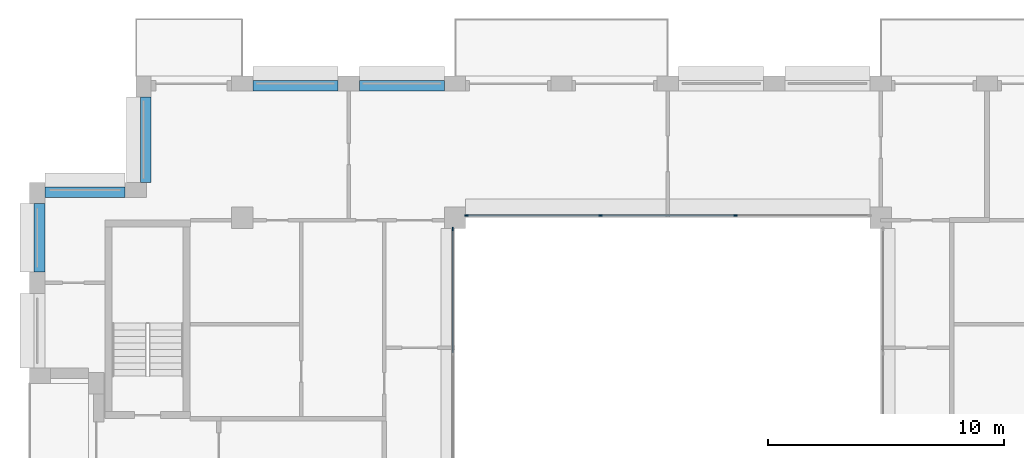
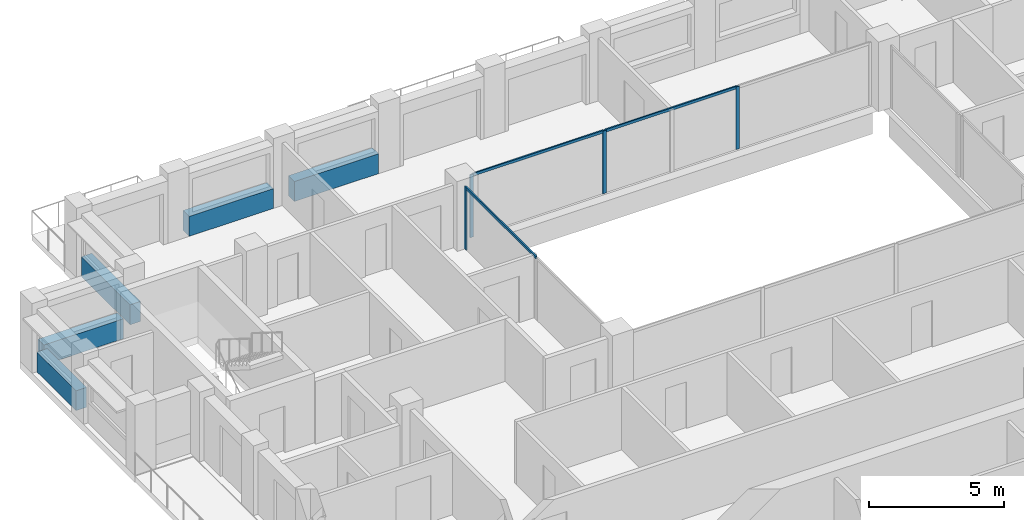
# One storey, part 5 of 15: 7 members, 5 beams, 2 elements without a shape of their own.
"""IFC4 building model written with IfcOpenShell, lengths in metres."""

from ifc_helpers import new_model, si_unit, direction, frame, origin, origin_2d, place, context, subcontext, project, spatial, rectangle, extrude, material, layer, layer_set, material_profile, profile_set, type_object, element, aggregate, save


model = new_model("IFC4")

# Units and contexts
model_context = context("Model", 3, precision=1e-05, world=origin(), true_north=direction((0.0, 1.0)))
body_context = subcontext(model_context, "Body", "Model", "MODEL_VIEW")
ifc_project = project(units=[si_unit("LENGTHUNIT", "METRE"), si_unit("AREAUNIT", "SQUARE_METRE"), si_unit("VOLUMEUNIT", "CUBIC_METRE"), si_unit("PLANEANGLEUNIT", "RADIAN"), si_unit("MASSUNIT", "GRAM", prefix="KILO")], contexts=[model_context])

# Site, building, storey
site_placement = place(None, origin())
site = spatial("IfcSite", under=ifc_project, at=site_placement, CompositionType="ELEMENT")
building_placement = place(site_placement, origin())
building = spatial("IfcBuilding", under=site, at=building_placement, Name="Brigalow Station Residences", CompositionType="ELEMENT")
storey_placement = place(building_placement, frame((0.0, 0.0, 229.5)))
storey = spatial("IfcBuildingStorey", under=building, at=storey_placement, Name="L66", CompositionType="ELEMENT", Elevation=229.5)

# Curtain wall, members
ifc_material_1 = material(Name="Aluminium", Category="aluminium")
ifc_layer = layer(ifc_material_1, 0.14990234375)
ifc_layer_set = layer_set([ifc_layer], Name="ATRIUM FIRE-RATED GLAZING CURTAIN WALL")
curtain_wall_type = type_object("IfcCurtainWallType", Name="ATRIUM FIRE-RATED GLAZING CURTAIN WALL", PredefinedType="NOTDEFINED", material=ifc_layer_set)
curtain_wall_1_placement = place(storey_placement, origin())
curtain_wall_1 = element("IfcCurtainWall", 1, at=curtain_wall_1_placement, inside=storey, type_object=curtain_wall_type, Name="L66/cw/atrium-N", PredefinedType="NOTDEFINED")
ifc_material_2 = material(Name="Aluminium", Category="aluminium")
ifc_material_profile_1 = material_profile(ifc_material_2, rectangle(XDim=0.06005859375, YDim=0.14990234375, at=origin_2d()), Name="ATRIUM FIRE-RATED GLAZING MULLION 60x150")
ifc_profile_set_1 = profile_set([ifc_material_profile_1], Name="Aluminium")
member_type_1 = type_object("IfcMemberType", Name="ATRIUM FIRE-RATED GLAZING MULLION 60x150", PredefinedType="MULLION", material=ifc_profile_set_1)
member_1_placement = place(storey_placement, frame((38.85009765625, 35.60009765625, 0.0), z_axis=(0.0, 0.0, 1.0), x_axis=(0.0, -1.0, 0.0)))
member_1 = element("IfcMember", 2, at=member_1_placement, type_object=member_type_1, Name="L66/cw/atrium-N/M01", PredefinedType="MULLION", context=body_context, shape_type="SweptSolid", body=[
    extrude(rectangle(XDim=0.06005859375, YDim=0.14990234375, at=origin_2d()), origin(), (0.0, 0.0, 1.0), 2.830078125),
])
member_2_placement = place(storey_placement, frame((33.14990234375, 35.60009765625, 0.0), z_axis=(0.0, 0.0, 1.0), x_axis=(0.0, -1.0, 0.0)))
member_2 = element("IfcMember", 3, at=member_2_placement, type_object=member_type_1, Name="L66/cw/atrium-N/M02", PredefinedType="MULLION", context=body_context, shape_type="SweptSolid", body=[
    extrude(rectangle(XDim=0.06005859375, YDim=0.14990234375, at=origin_2d()), origin(), (0.0, 0.0, 1.0), 2.830078125),
])
member_3_placement = place(storey_placement, frame((27.47998046875, 35.60009765625, 0.0), z_axis=(0.0, 0.0, 1.0), x_axis=(0.0, -1.0, 0.0)))
member_3 = element("IfcMember", 4, at=member_3_placement, type_object=member_type_1, Name="L66/cw/atrium-N/M03", PredefinedType="MULLION", context=body_context, shape_type="SweptSolid", body=[
    extrude(rectangle(XDim=0.06005859375, YDim=0.14990234375, at=origin_2d()), origin(), (0.0, 0.0, 1.0), 2.830078125),
])

# Curtain wall, member
curtain_wall_2_placement = place(storey_placement, origin())
curtain_wall_2 = element("IfcCurtainWall", 5, at=curtain_wall_2_placement, inside=storey, type_object=curtain_wall_type, Name="L66/cw/atrium-W", PredefinedType="NOTDEFINED")
member_4_placement = place(storey_placement, frame((26.89990234375, 35.02001953125, 0.0), z_axis=(0.0, 0.0, 1.0), x_axis=(1.0, 0.0, 0.0)))
member_4 = element("IfcMember", 6, at=member_4_placement, type_object=member_type_1, Name="L66/cw/atrium-W/M00", PredefinedType="MULLION", context=body_context, shape_type="SweptSolid", body=[
    extrude(rectangle(XDim=0.06005859375, YDim=0.14990234375, at=origin_2d()), origin(), (0.0, 0.0, 1.0), 2.830078125),
])

# Member
ifc_material_3 = material(Name="Aluminium", Category="aluminium")
ifc_material_profile_2 = material_profile(ifc_material_3, rectangle(XDim=0.06005859375, YDim=0.1201171875, at=origin_2d()), Name="ATRIUM FIRE-RATED GLAZING TRANSOM 60x120")
ifc_profile_set_2 = profile_set([ifc_material_profile_2], Name="Aluminium")
member_type_2 = type_object("IfcMemberType", Name="ATRIUM FIRE-RATED GLAZING TRANSOM 60x120", PredefinedType="USERDEFINED", material=ifc_profile_set_2)
member_5_placement = place(storey_placement, frame((38.820068359375, 35.60009765625, 2.800048828125), z_axis=(-1.0, 0.0, 0.0), x_axis=(0.0, -1.0, 0.0)))
member_5 = element("IfcMember", 7, at=member_5_placement, type_object=member_type_2, Name="L66/cw/atrium-N/T01-00", ObjectType="TRANSOM", PredefinedType="USERDEFINED", context=body_context, shape_type="SweptSolid", body=[
    extrude(rectangle(XDim=0.06005859375, YDim=0.1201171875, at=origin_2d()), origin(), (0.0, 0.0, 1.0), 5.64013671875),
])

member_6_placement = place(storey_placement, frame((33.1201171875, 35.60009765625, 2.800048828125), z_axis=(-1.0, 0.0, 0.0), x_axis=(0.0, -1.0, 0.0)))
member_6 = element("IfcMember", 8, at=member_6_placement, type_object=member_type_2, Name="L66/cw/atrium-N/T02-00", ObjectType="TRANSOM", PredefinedType="USERDEFINED", context=body_context, shape_type="SweptSolid", body=[
    extrude(rectangle(XDim=0.06005859375, YDim=0.1201171875, at=origin_2d()), origin(), (0.0, 0.0, 1.0), 5.610107421875),
])

aggregate(curtain_wall_1, [member_1, member_2, member_3, member_5, member_6])

member_7_placement = place(storey_placement, frame((26.89990234375, 34.989990234375, 2.800048828125), z_axis=(0.0, -1.0, 0.0), x_axis=(1.0, 0.0, 0.0)))
member_7 = element("IfcMember", 9, at=member_7_placement, type_object=member_type_2, Name="L66/cw/atrium-W/T00-00", ObjectType="TRANSOM", PredefinedType="USERDEFINED", context=body_context, shape_type="SweptSolid", body=[
    extrude(rectangle(XDim=0.06005859375, YDim=0.1201171875, at=origin_2d()), origin(), (0.0, 0.0, 1.0), 5.2099609375),
])

aggregate(curtain_wall_2, [member_4, member_7])

# Beams
ifc_material_4 = material(Name="Concrete C50", Category="concrete")
ifc_material_profile_3 = material_profile(ifc_material_4, rectangle(XDim=0.449951171875, YDim=0.89990234375, at=origin_2d()), Name="RC450x900")
ifc_profile_set_3 = profile_set([ifc_material_profile_3], Name="Concrete C50")
beam_type = type_object("IfcBeamType", Name="SPANDREL BEAM 450x900 C50", PredefinedType="SPANDREL", material=ifc_profile_set_3)
for number, where, z_axis, x_axis, name in (
    (10, (26.550048828125, 41.074951171875, 0.449951171875), (-1.0, 0.0, 0.0), (0.0, -1.0, 0.0), "L66/spandrel/W-L66-29"),
    (11, (22.050048828125, 41.074951171875, 0.449951171875), (-1.0, 0.0, 0.0), (0.0, -1.0, 0.0), "L66/spandrel/W-L66-30"),
    (12, (13.925048828125, 40.60009765625, 0.449951171875), (0.0, -1.0, 0.0), (1.0, 0.0, 0.0), "L66/spandrel/W-L66-32"),
):
    element("IfcBeam", number, at=place(storey_placement, frame(where, z_axis=z_axis, x_axis=x_axis)), inside=storey, type_object=beam_type, Name=name, PredefinedType="SPANDREL", context=body_context, shape_type="SweptSolid", body=[
        extrude(rectangle(XDim=0.449951171875, YDim=0.89990234375, at=origin_2d()), origin(), (0.0, 0.0, 1.0), 3.60009765625),
    ])
beam_1_placement = place(storey_placement, frame((13.050048828125, 36.574951171875, 0.449951171875), z_axis=(-1.0, 0.0, 0.0), x_axis=(0.0, -1.0, 0.0)))
element("IfcBeam", 13, at=beam_1_placement, inside=storey, type_object=beam_type, Name="L66/spandrel/W-L66-33", PredefinedType="SPANDREL", context=body_context, shape_type="SweptSolid", body=[
    extrude(rectangle(XDim=0.449951171875, YDim=0.89990234375, at=origin_2d()), origin(), (0.0, 0.0, 1.0), 3.400146484375),
])
beam_2_placement = place(storey_placement, frame((9.425048828125, 36.10009765625, 0.449951171875), z_axis=(0.0, -1.0, 0.0), x_axis=(1.0, 0.0, 0.0)))
element("IfcBeam", 14, at=beam_2_placement, inside=storey, type_object=beam_type, Name="L66/spandrel/W-L66-34", PredefinedType="SPANDREL", context=body_context, shape_type="SweptSolid", body=[
    extrude(rectangle(XDim=0.449951171875, YDim=0.89990234375, at=origin_2d()), origin(), (0.0, 0.0, 1.0), 2.900146484375),
])

save(model, "model.ifc")
